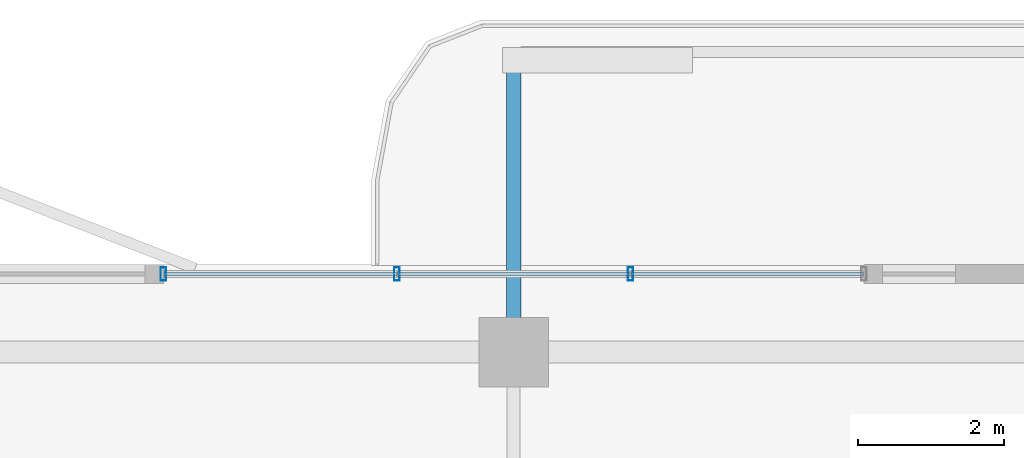
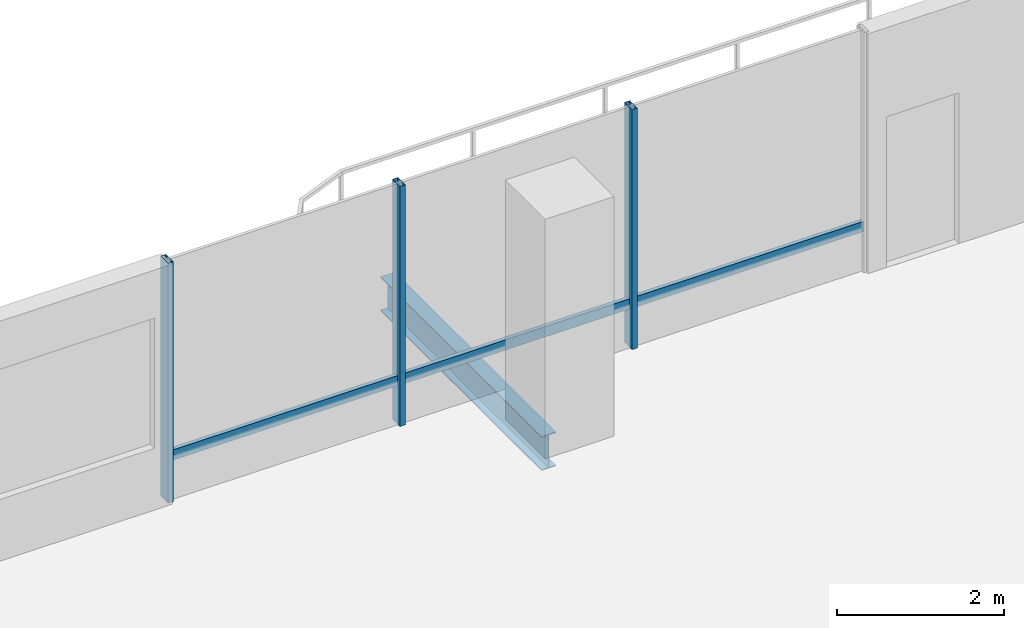
# One storey, part 13 of 23: 6 members, 1 beam, 1 element without a shape of its own.
"""IFC4 building model written with IfcOpenShell, lengths in metres."""

from ifc_helpers import new_model, si_unit, direction, frame, origin, origin_2d, place, context, subcontext, project, spatial, hollow_rectangle, i_section, extrude, material, layer, layer_set, material_profile, profile_set, type_object, element, aggregate, save


model = new_model("IFC4")

# Units and contexts
model_context = context("Model", 3, precision=1e-05, world=origin(), true_north=direction((0.0, 1.0)))
body_context = subcontext(model_context, "Body", "Model", "MODEL_VIEW")
ifc_project = project(units=[si_unit("LENGTHUNIT", "METRE"), si_unit("AREAUNIT", "SQUARE_METRE"), si_unit("VOLUMEUNIT", "CUBIC_METRE"), si_unit("PLANEANGLEUNIT", "RADIAN"), si_unit("MASSUNIT", "GRAM", prefix="KILO")], contexts=[model_context])

# Site, building, storey
site_placement = place(None, origin())
site = spatial("IfcSite", under=ifc_project, at=site_placement, CompositionType="ELEMENT")
building_placement = place(site_placement, origin())
building = spatial("IfcBuilding", under=site, at=building_placement, Name="Belovzor Exchange Tower", CompositionType="ELEMENT")
storey_placement = place(building_placement, frame((0.0, 0.0, 276.60009765625)))
storey = spatial("IfcBuildingStorey", under=building, at=storey_placement, Name="L69", CompositionType="ELEMENT", Elevation=276.60009765625)

# Beam
ifc_material_1 = material(Name="Steel S355", Category="steel")
ifc_material_profile_1 = material_profile(ifc_material_1, i_section(OverallWidth=0.199951171875, OverallDepth=0.5, WebThickness=0.01025390625, FlangeThickness=0.01611328125, at=origin_2d()))
ifc_profile_set_1 = profile_set([ifc_material_profile_1], Name="Steel S355")
beam_type = type_object("IfcBeamType", Name="Planted Balcony Cantilever Beam IPE 500", PredefinedType="BEAM", material=ifc_profile_set_1)
beam_placement = place(storey_placement, frame((28.800048828125, 52.760986328125, -0.5), z_axis=(0.0, 1.0, 0.0), x_axis=(-1.0, 0.0, 0.0)))
element("IfcBeam", 1, at=beam_placement, inside=storey, type_object=beam_type, Name="BC-500 Planted Balcony Cantilever Beam IPE 500", PredefinedType="BEAM", context=body_context, shape_type="SweptSolid", body=[
    extrude(i_section(OverallWidth=0.199951171875, OverallDepth=0.5, WebThickness=0.01025390625, FlangeThickness=0.01611328125, at=origin_2d()), origin(), (0.0, 0.0, 1.0), 3.85009765625),
])

# Curtain wall, members
ifc_material_2 = material(Name="Anodised Aluminium Framing", Category="aluminium")
ifc_layer = layer(ifc_material_2, 0.179931640625)
ifc_layer_set = layer_set([ifc_layer], Name="Anodised Aluminium Framing")
curtain_wall_type = type_object("IfcCurtainWallType", Name="Recessed Loggia Low-Iron Triple-Glazed Curtain Wall", PredefinedType="NOTDEFINED", material=ifc_layer_set)
curtain_wall_placement = place(storey_placement, origin())
curtain_wall = element("IfcCurtainWall", 2, at=curtain_wall_placement, inside=storey, type_object=curtain_wall_type, Name="CW3 Recessed Loggia Low-Iron Triple-Glazed Curtain Wall L69", PredefinedType="NOTDEFINED")
ifc_material_3 = material(Name="Steel S355", Category="steel")
ifc_material_profile_2 = material_profile(ifc_material_3, hollow_rectangle(XDim=0.074951171875, YDim=0.179931640625, WallThickness=0.0048828125, at=origin_2d()))
ifc_profile_set_2 = profile_set([ifc_material_profile_2], Name="Steel S355")
member_type_1 = type_object("IfcMemberType", Name="Thermally Broken Curtain Wall Mullion 180x75", PredefinedType="MULLION", material=ifc_profile_set_2)
member_1_placement = place(storey_placement, frame((24.0, 53.570068359375, 0.0), z_axis=(0.0, 0.0, 1.0), x_axis=(1.0, 0.0, 0.0)))
member_1 = element("IfcMember", 3, at=member_1_placement, type_object=member_type_1, Name="CW-M180 Curtain Wall Mullion 1", PredefinedType="MULLION", context=body_context, shape_type="SweptSolid", body=[
    extrude(hollow_rectangle(XDim=0.074951171875, YDim=0.179931640625, WallThickness=0.0048828125, at=origin_2d()), origin(), (0.0, 0.0, 1.0), 3.5),
])
member_2_placement = place(storey_placement, frame((27.199951171875, 53.570068359375, 0.0), z_axis=(0.0, 0.0, 1.0), x_axis=(1.0, 0.0, 0.0)))
member_2 = element("IfcMember", 4, at=member_2_placement, type_object=member_type_1, Name="CW-M180 Curtain Wall Mullion 2", PredefinedType="MULLION", context=body_context, shape_type="SweptSolid", body=[
    extrude(hollow_rectangle(XDim=0.074951171875, YDim=0.179931640625, WallThickness=0.0048828125, at=origin_2d()), origin(), (0.0, 0.0, 1.0), 3.5),
])
member_3_placement = place(storey_placement, frame((30.39990234375, 53.570068359375, 0.0), z_axis=(0.0, 0.0, 1.0), x_axis=(1.0, 0.0, 0.0)))
member_3 = element("IfcMember", 5, at=member_3_placement, type_object=member_type_1, Name="CW-M180 Curtain Wall Mullion 3", PredefinedType="MULLION", context=body_context, shape_type="SweptSolid", body=[
    extrude(hollow_rectangle(XDim=0.074951171875, YDim=0.179931640625, WallThickness=0.0048828125, at=origin_2d()), origin(), (0.0, 0.0, 1.0), 3.5),
])
ifc_material_4 = material(Name="Steel S355", Category="steel")
ifc_material_profile_3 = material_profile(ifc_material_4, hollow_rectangle(XDim=0.06005859375, YDim=0.14990234375, WallThickness=0.00390625, at=origin_2d()))
ifc_profile_set_3 = profile_set([ifc_material_profile_3], Name="Steel S355")
member_type_2 = type_object("IfcMemberType", Name="Thermally Broken Curtain Wall Transom 150x60", PredefinedType="USERDEFINED", material=ifc_profile_set_3)
member_4_placement = place(storey_placement, frame((24.008056640625, 53.570068359375, 0.6298828125), z_axis=(1.0, 0.0, 0.0), x_axis=(0.0, 1.0, 0.0)))
member_4 = element("IfcMember", 6, at=member_4_placement, type_object=member_type_2, Name="CW-T150 Curtain Wall Transom 1", ObjectType="TRANSOM", PredefinedType="USERDEFINED", context=body_context, shape_type="SweptSolid", body=[
    extrude(hollow_rectangle(XDim=0.06005859375, YDim=0.14990234375, WallThickness=0.00390625, at=origin_2d()), origin(), (0.0, 0.0, 1.0), 3.183837890625),
])
member_5_placement = place(storey_placement, frame((27.2080078125, 53.570068359375, 0.6298828125), z_axis=(1.0, 0.0, 0.0), x_axis=(0.0, 1.0, 0.0)))
member_5 = element("IfcMember", 7, at=member_5_placement, type_object=member_type_2, Name="CW-T150 Curtain Wall Transom 2", ObjectType="TRANSOM", PredefinedType="USERDEFINED", context=body_context, shape_type="SweptSolid", body=[
    extrude(hollow_rectangle(XDim=0.06005859375, YDim=0.14990234375, WallThickness=0.00390625, at=origin_2d()), origin(), (0.0, 0.0, 1.0), 3.18408203125),
])
member_6_placement = place(storey_placement, frame((30.407958984375, 53.570068359375, 0.6298828125), z_axis=(1.0, 0.0, 0.0), x_axis=(0.0, 1.0, 0.0)))
member_6 = element("IfcMember", 8, at=member_6_placement, type_object=member_type_2, Name="CW-T150 Curtain Wall Transom 3", ObjectType="TRANSOM", PredefinedType="USERDEFINED", context=body_context, shape_type="SweptSolid", body=[
    extrude(hollow_rectangle(XDim=0.06005859375, YDim=0.14990234375, WallThickness=0.00390625, at=origin_2d()), origin(), (0.0, 0.0, 1.0), 3.18408203125),
])
aggregate(curtain_wall, [member_1, member_2, member_3, member_4, member_5, member_6])

save(model, "model.ifc")
